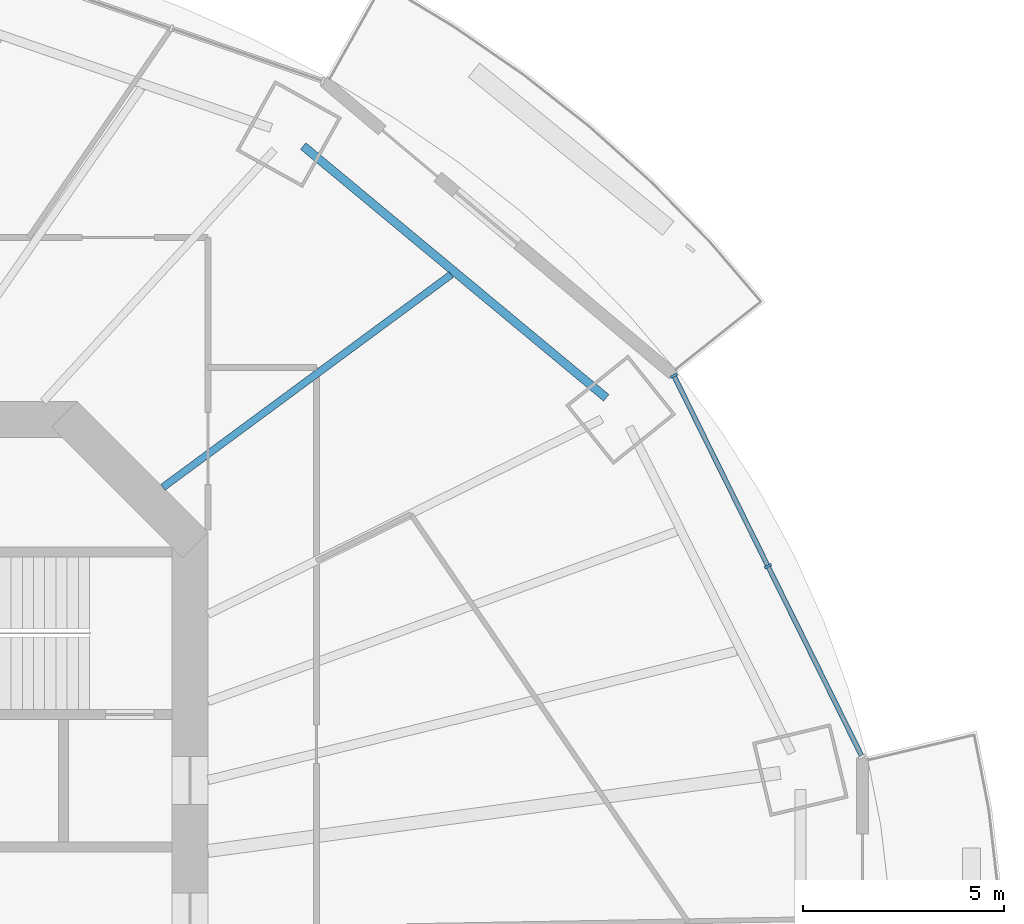
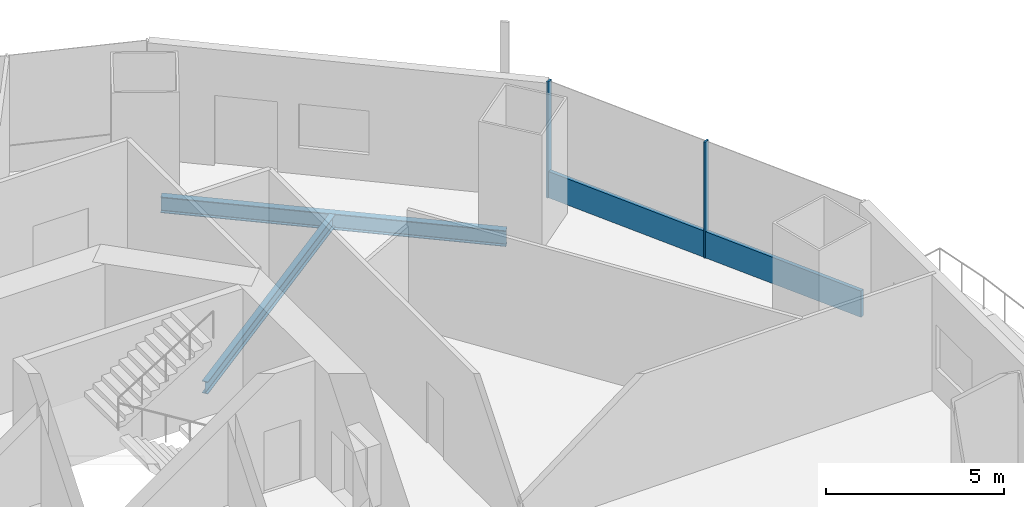
# One storey, part 8 of 21: 3 members, 2 beams, 1 element without a shape of its own.
"""IFC4 building model written with IfcOpenShell, lengths in metres."""

from ifc_helpers import new_model, si_unit, direction, frame, origin, origin_2d, place, context, subcontext, project, spatial, rectangle, i_section, extrude, material, material_profile, profile_set, type_object, element, aggregate, save


model = new_model("IFC4")

# Units and contexts
model_context = context("Model", 3, precision=1e-05, world=origin(), true_north=direction((0.0, 1.0)))
body_context = subcontext(model_context, "Body", "Model", "MODEL_VIEW")
ifc_project = project(units=[si_unit("LENGTHUNIT", "METRE"), si_unit("AREAUNIT", "SQUARE_METRE"), si_unit("VOLUMEUNIT", "CUBIC_METRE"), si_unit("PLANEANGLEUNIT", "RADIAN"), si_unit("MASSUNIT", "GRAM", prefix="KILO")], contexts=[model_context])

# Site, building, storey
site_placement = place(None, origin())
site = spatial("IfcSite", under=ifc_project, at=site_placement, CompositionType="ELEMENT")
building_placement = place(site_placement, origin())
building = spatial("IfcBuilding", under=site, at=building_placement, Name="Marenthal Gate Tower", CompositionType="ELEMENT")
storey_placement = place(building_placement, frame((0.0, 0.0, 198.39990234375)))
storey = spatial("IfcBuildingStorey", under=building, at=storey_placement, Name="L43", CompositionType="ELEMENT", Elevation=198.39990234375)

# Curtain wall, members
ifc_material_1 = material(Name="Aluminium and glass", Category="aluminium")
curtain_wall_type = type_object("IfcCurtainWallType", Name="Curtain wall typical mid", PredefinedType="NOTDEFINED", material=ifc_material_1)
curtain_wall_placement = place(storey_placement, origin())
curtain_wall = element("IfcCurtainWall", 1, at=curtain_wall_placement, inside=storey, type_object=curtain_wall_type, Name="Curtain wall L43 bay 1", PredefinedType="NOTDEFINED")
ifc_material_2 = material(Name="Aluminium", Category="aluminium")
ifc_material_profile_1 = material_profile(ifc_material_2, rectangle(XDim=0.179931640625, YDim=0.06005859375, at=origin_2d()), Name="60x180 aluminium mullion")
ifc_profile_set_1 = profile_set([ifc_material_profile_1], Name="Aluminium")
member_type_1 = type_object("IfcMemberType", Name="Mullion 60x180 typical mid", PredefinedType="MULLION", material=ifc_profile_set_1)
member_1_placement = place(storey_placement, frame((30.408203125, 9.34423828125, 0.0), z_axis=(0.0, 0.0, 1.0), x_axis=(-0.896715617309, -0.442607164057, 0.0)))
member_1 = element("IfcMember", 2, at=member_1_placement, type_object=member_type_1, Name="Mullion L43 bay 1.2", PredefinedType="MULLION", context=body_context, shape_type="SweptSolid", body=[
    extrude(rectangle(XDim=0.179931640625, YDim=0.06005859375, at=origin_2d()), origin(), (0.0, 0.0, 1.0), 3.97021484375),
])
member_2_placement = place(storey_placement, frame((28.064453125, 14.093017578125, 0.0), z_axis=(0.0, 0.0, 1.0), x_axis=(-0.896715617309, -0.442607164057, 0.0)))
member_2 = element("IfcMember", 3, at=member_2_placement, type_object=member_type_1, Name="Mullion L43 bay 1.3", PredefinedType="MULLION", context=body_context, shape_type="SweptSolid", body=[
    extrude(rectangle(XDim=0.179931640625, YDim=0.06005859375, at=origin_2d()), origin(), (0.0, 0.0, 1.0), 3.97021484375),
])
ifc_material_3 = material(Name="Aluminium", Category="aluminium")
ifc_material_profile_2 = material_profile(ifc_material_3, rectangle(XDim=0.1201171875, YDim=0.89990234375, at=origin_2d()), Name="120x900 aluminium transom")
ifc_profile_set_2 = profile_set([ifc_material_profile_2], Name="Aluminium")
member_type_2 = type_object("IfcMemberType", Name="Transom 120x900 typical mid", PredefinedType="USERDEFINED", material=ifc_profile_set_2)
member_3_placement = place(storey_placement, frame((32.73876953125, 4.622802734375, 0.4501953125), z_axis=(-0.442617393568, 0.896710568082, 0.0), x_axis=(-0.896710568082, -0.442617393568, 0.0)))
member_3 = element("IfcMember", 4, at=member_3_placement, type_object=member_type_2, Name="Transom L43 bay 1", ObjectType="TRANSOM", PredefinedType="USERDEFINED", context=body_context, shape_type="SweptSolid", body=[
    extrude(rectangle(XDim=0.1201171875, YDim=0.89990234375, at=origin_2d()), origin(), (0.0, 0.0, 1.0), 10.53076171875),
])
aggregate(curtain_wall, [member_1, member_2, member_3])

# Beams
ifc_material_4 = material(Name="Steel S355", Category="steel")
ifc_material_profile_3 = material_profile(ifc_material_4, i_section(OverallWidth=0.180908203125, OverallDepth=0.4169921875, WebThickness=0.010986328125, FlangeThickness=0.018310546875, FilletRadius=0.01025390625, at=origin_2d()), Name="W410X85")
ifc_profile_set_3 = profile_set([ifc_material_profile_3], Name="Steel S355")
beam_type_1 = type_object("IfcBeamType", Name="W410X85 beam", PredefinedType="BEAM", material=ifc_profile_set_3)
beam_1_placement = place(storey_placement, frame((22.51220703125, 16.6142578125, -0.388427734375), z_axis=(-0.804607661672, -0.593806795834, 0.0), x_axis=(0.593806795834, -0.804607661672, 0.0)))
element("IfcBeam", 5, at=beam_1_placement, inside=storey, type_object=beam_type_1, Name="BM-L43-19", PredefinedType="BEAM", context=body_context, shape_type="SweptSolid", body=[
    extrude(i_section(OverallWidth=0.180908203125, OverallDepth=0.4169921875, WebThickness=0.010986328125, FlangeThickness=0.018310546875, FilletRadius=0.01025390625, at=origin_2d()), origin(), (0.0, 0.0, 1.0), 8.931640625),
])
ifc_material_5 = material(Name="Steel S355", Category="steel")
ifc_material_profile_4 = material_profile(ifc_material_5, i_section(OverallWidth=0.2119140625, OverallDepth=0.5439453125, WebThickness=0.01318359375, FlangeThickness=0.021240234375, FilletRadius=0.0126953125, at=origin_2d()), Name="W530X123")
ifc_profile_set_4 = profile_set([ifc_material_profile_4], Name="Steel S355")
beam_type_2 = type_object("IfcBeamType", Name="W530X123 beam", PredefinedType="BEAM", material=ifc_profile_set_4)
beam_2_placement = place(storey_placement, frame((26.37646484375, 13.5419921875, -0.451904296875), z_axis=(-0.769206538699, 0.639000235386, 0.0), x_axis=(-0.639000235386, -0.769206538699, 0.0)))
element("IfcBeam", 6, at=beam_2_placement, inside=storey, type_object=beam_type_2, Name="BM-L43-42", PredefinedType="BEAM", context=body_context, shape_type="SweptSolid", body=[
    extrude(i_section(OverallWidth=0.2119140625, OverallDepth=0.5439453125, WebThickness=0.01318359375, FlangeThickness=0.021240234375, FilletRadius=0.0126953125, at=origin_2d()), origin(), (0.0, 0.0, 1.0), 9.8212890625),
])

save(model, "model.ifc")
